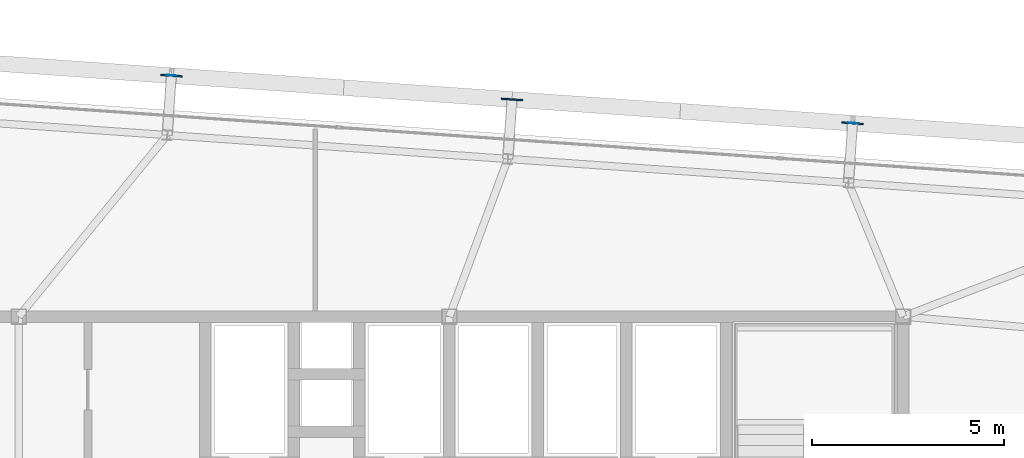
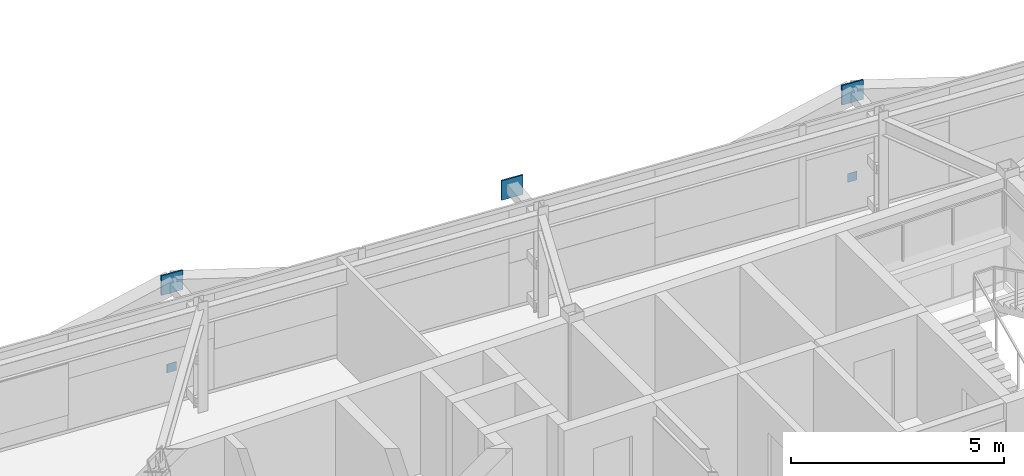
# One storey, part 33 of 39: 5 plates.
"""IFC4 building model written with IfcOpenShell, lengths in metres."""

from ifc_helpers import new_model, si_unit, direction, frame, origin, origin_2d, place, context, subcontext, project, spatial, rectangle, extrude, source, transform, mapped, material, layer, layer_set, type_object, element, save


model = new_model("IFC4")

# Units and contexts
model_context = context("Model", 3, precision=1e-05, world=origin(), true_north=direction((0.0, 1.0)))
body_context = subcontext(model_context, "Body", "Model", "MODEL_VIEW")
ifc_project = project(units=[si_unit("LENGTHUNIT", "METRE"), si_unit("AREAUNIT", "SQUARE_METRE"), si_unit("VOLUMEUNIT", "CUBIC_METRE"), si_unit("PLANEANGLEUNIT", "RADIAN"), si_unit("MASSUNIT", "GRAM", prefix="KILO")], contexts=[model_context])

# Site, building, storey
site_placement = place(None, origin())
site = spatial("IfcSite", under=ifc_project, at=site_placement, CompositionType="ELEMENT")
building_placement = place(site_placement, origin())
building = spatial("IfcBuilding", under=site, at=building_placement, Name="Taldren Reach Tower", CompositionType="ELEMENT")
storey_placement = place(building_placement, frame((0.0, 0.0, 123.550048828125)))
storey = spatial("IfcBuildingStorey", under=building, at=storey_placement, Name="L37", CompositionType="ELEMENT", Elevation=123.550048828125)

# Plates
ifc_material_1 = material(Name="Steel Gr 450 (C450L0)", Category="steel")
ifc_layer_1 = layer(ifc_material_1, 0.0400390625)
ifc_layer_set_1 = layer_set([ifc_layer_1], Name="Steel Gr 450 (C450L0)")
plate_type_1 = type_object("IfcPlateType", Name="PL-GUSSET-40", PredefinedType="SHEET", material=ifc_layer_set_1)
shared_shape_1 = source(origin(), body_context, "Body", "SweptSolid", [
    extrude(rectangle(XDim=0.56005859375, YDim=0.0400390625, at=origin_2d()), origin(), (0.0, 0.0, 1.0), 0.56005859375),
])
for number, where, z_axis, x_axis, name in (
    (1, (31.969482421875, 38.26611328125, 2.369873046875), (0.0, 0.0, 1.0), (0.99756405026, -0.069756473744, 0.0), "Exoskeleton star-node gusset plate B3-N3 L37"),
    (2, (40.827880859375, 37.646728515625, 2.369873046875), (0.0, 0.0, 1.0), (0.99756405026, -0.069756473744, 0.0), "Exoskeleton star-node gusset plate B3-N4 L37"),
    (3, (49.686279296875, 37.02734375, 2.369873046875), (0.0, 0.0, 1.0), (0.99756405026, -0.069756473744, 0.0), "Exoskeleton star-node gusset plate B3-N5 L37"),
):
    element("IfcPlate", number, at=place(storey_placement, frame(where, z_axis=z_axis, x_axis=x_axis)), inside=storey, type_object=plate_type_1, Name=name, PredefinedType="SHEET", context=body_context, shape_type="MappedRepresentation", body=[
        mapped(shared_shape_1, transform((0.0, 0.0, 0.0), scale=1.0)),
    ])
ifc_material_2 = material(Name="Steel Gr 350 (C350L0)", Category="steel")
ifc_layer_2 = layer(ifc_material_2, 0.011962890625)
ifc_layer_set_2 = layer_set([ifc_layer_2], Name="Steel Gr 350 (C350L0)")
plate_type_2 = type_object("IfcPlateType", Name="PL-CAP-250", PredefinedType="SHEET", material=ifc_layer_set_2)
shared_shape_2 = source(origin(), body_context, "Body", "SweptSolid", [
    extrude(rectangle(XDim=0.25, YDim=0.011962890625, at=origin_2d()), origin(), (0.0, 0.0, 1.0), 0.25),
])
for number, where, z_axis, x_axis, name in (
    (4, (31.969970703125, 38.272216796875, 0.094970703125), (0.0, 0.0, 1.0), (0.99756405026, -0.069756473744, 0.0), "Tie strut end cap plate B3-N3 L37"),
    (5, (49.6865234375, 37.033203125, 0.094970703125), (0.0, 0.0, 1.0), (0.99756405026, -0.069756473744, 0.0), "Tie strut end cap plate B3-N5 L37"),
):
    element("IfcPlate", number, at=place(storey_placement, frame(where, z_axis=z_axis, x_axis=x_axis)), inside=storey, type_object=plate_type_2, Name=name, PredefinedType="SHEET", context=body_context, shape_type="MappedRepresentation", body=[
        mapped(shared_shape_2, transform((0.0, 0.0, 0.0), scale=1.0)),
    ])

save(model, "model.ifc")
